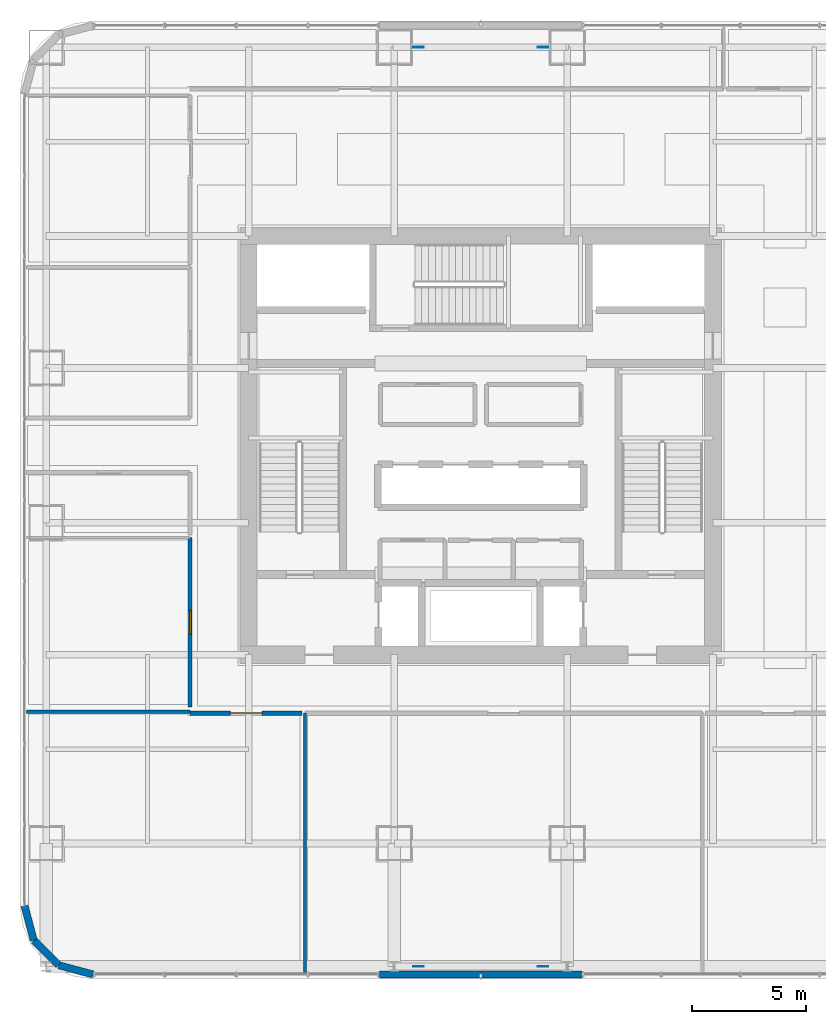
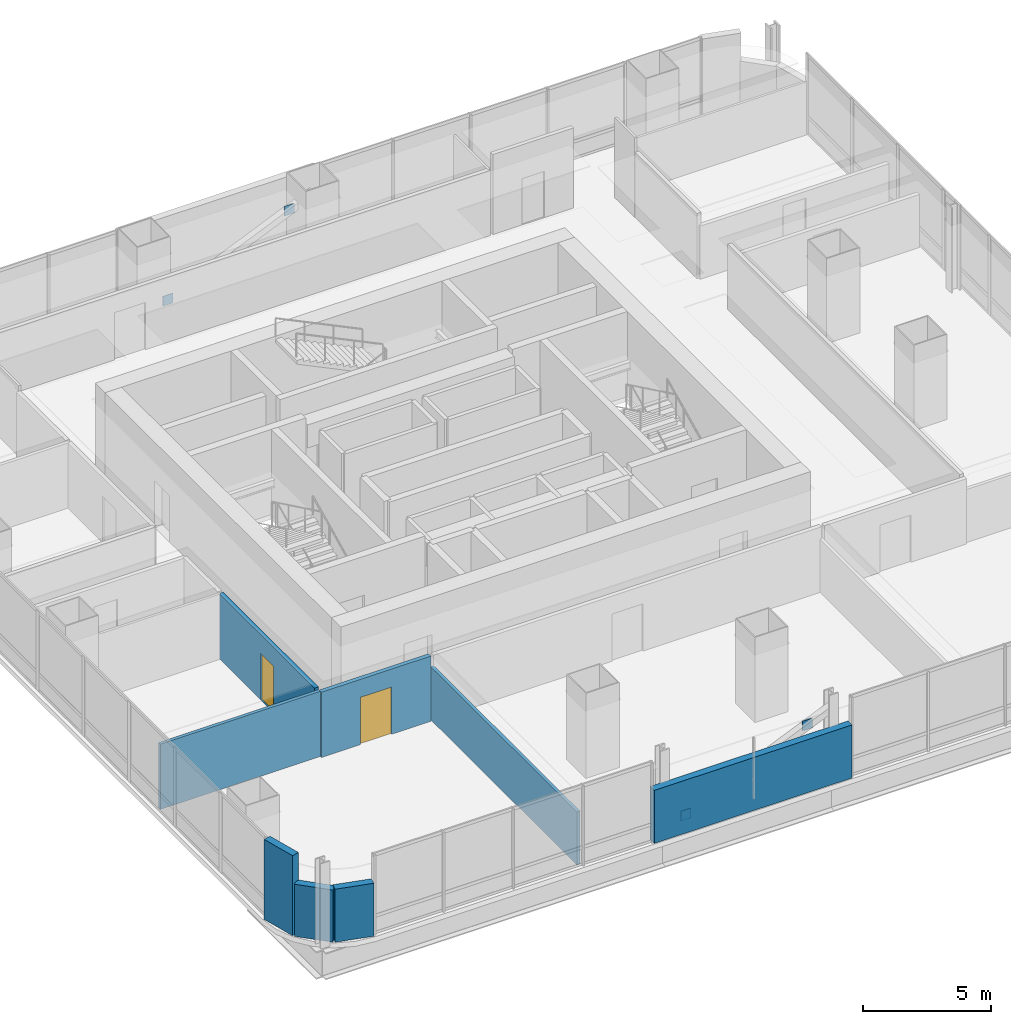
# One storey, part 27 of 40: 8 walls, 4 plates, 2 doors, 2 openings.
"""IFC4 building model written with IfcOpenShell, lengths in metres."""

from ifc_helpers import new_model, si_unit, direction, frame, frame_2d, origin, origin_2d, place, context, subcontext, project, spatial, rectangle, extrude, material, layer, layer_set, type_object, element, fill, save


model = new_model("IFC4")

# Units and contexts
model_context = context("Model", 3, precision=1e-05, world=origin(), true_north=direction((0.0, 1.0)))
body_context = subcontext(model_context, "Body", "Model", "MODEL_VIEW")
ifc_project = project(units=[si_unit("LENGTHUNIT", "METRE"), si_unit("AREAUNIT", "SQUARE_METRE"), si_unit("VOLUMEUNIT", "CUBIC_METRE"), si_unit("PLANEANGLEUNIT", "RADIAN"), si_unit("MASSUNIT", "GRAM", prefix="KILO")], contexts=[model_context])

# Site, building, storey
site_placement = place(None, origin())
site = spatial("IfcSite", under=ifc_project, at=site_placement, CompositionType="ELEMENT")
building_placement = place(site_placement, origin())
building = spatial("IfcBuilding", under=site, at=building_placement, Name="Punatoya Terracotta Tower", CompositionType="ELEMENT")
storey_placement = place(building_placement, frame((0.0, 0.0, 76.800048828125)))
storey = spatial("IfcBuildingStorey", under=building, at=storey_placement, Name="L17", CompositionType="ELEMENT", Elevation=76.800048828125)

# Plates
ifc_material_1 = material(Name="Steel S460", Category="steel")
ifc_layer_1 = layer(ifc_material_1, 0.031982421875)
ifc_layer_set_1 = layer_set([ifc_layer_1], Name="Steel S460")
plate_type = type_object("IfcPlateType", Name="PLT-END-32", PredefinedType="USERDEFINED", material=ifc_layer_set_1)
for number, where, z_axis, x_axis, name in (
    (1, (-2.736083984375, -22.89990234375, 0.25048828125), (0.0, 0.0, 1.0), (1.0, 0.0, 0.0), "L17 Wind Brace S2 End Plate 1"),
    (2, (2.736083984375, -22.89990234375, 2.619384765625), (0.0, 0.0, 1.0), (1.0, 0.0, 0.0), "L17 Wind Brace S2 End Plate 2"),
    (3, (-2.736083984375, 17.5, 0.25048828125), (0.0, 0.0, 1.0), (1.0, 0.0, 0.0), "L17 Wind Brace N2 End Plate 1"),
    (4, (2.736083984375, 17.5, 2.619384765625), (0.0, 0.0, 1.0), (1.0, 0.0, 0.0), "L17 Wind Brace N2 End Plate 2"),
):
    element("IfcPlate", number, at=place(storey_placement, frame(where, z_axis=z_axis, x_axis=x_axis)), inside=storey, type_object=plate_type, Name=name, ObjectType="FLANGE_PLATE", PredefinedType="USERDEFINED", context=body_context, shape_type="SweptSolid", body=[
        extrude(rectangle(XDim=0.4599609375, YDim=0.031982421875, at=origin_2d()), origin(), (0.0, 0.0, 1.0), 0.4599609375),
    ])

# Wall, opening, door
ifc_material_2 = material(Name="Gypsum Fireboard + Steel Stud", Category="steel")
ifc_layer_2 = layer(ifc_material_2, 0.179931640625)
ifc_layer_set_2 = layer_set([ifc_layer_2], Name="Gypsum Fireboard + Steel Stud")
wall_type_1 = type_object("IfcWallType", Name="WL-CORR-180", PredefinedType="PARTITIONING", material=ifc_layer_set_2)
wall_1_placement = place(storey_placement, frame((-12.77001953125, -11.77001953125, 0.0), z_axis=(0.0, 0.0, 1.0), x_axis=(1.0, 0.0, 0.0)))
wall_1 = element("IfcWall", 5, at=wall_1_placement, inside=storey, type_object=wall_type_1, Name="L17 Open-Plan Client Strategy Boardroom Partition 20", PredefinedType="PARTITIONING", context=body_context, shape_type="SweptSolid", body=[
    extrude(rectangle(XDim=4.924072265625, YDim=0.179931640625, at=frame_2d((2.4619140625, 0.0))), origin(), (0.0, 0.0, 1.0), 3.10400390625),
])
opening_1_placement = place(wall_1_placement, frame((1.761962890625, 0.0, 0.0)))
opening_1 = element("IfcOpeningElement", 6, at=opening_1_placement, cuts=wall_1, Name="Opening BD-01", PredefinedType="OPENING", context=body_context, shape_type="SweptSolid", body=[
    extrude(rectangle(XDim=1.39990234375, YDim=2.25, at=frame_2d((0.699951171875, 1.125))), frame((0.0, 0.099853515625, 0.0), z_axis=(0.0, -1.0, 0.0), x_axis=(1.0, 0.0, 0.0)), (0.0, 0.0, 1.0), 0.199951171875),
])
ifc_material_3 = material(Name="Bengal Teak Acoustic Leaf")
door_type_1 = type_object("IfcDoorType", Name="DR-BRD-1400", OperationType="NOTDEFINED", PredefinedType="DOOR", material=ifc_material_3)
door_1_placement = place(opening_1_placement, origin())
door_1 = element("IfcDoor", 7, at=door_1_placement, inside=storey, type_object=door_type_1, Name="L17 Open-Plan Client Strategy Boardroom Door", OperationType="SINGLE_SWING_LEFT", OverallHeight=2.25, OverallWidth=1.39990234375, PredefinedType="DOOR", context=body_context, shape_type="SweptSolid", body=[
    extrude(rectangle(XDim=1.39990234375, YDim=2.25, at=frame_2d((0.699951171875, 1.125))), frame((0.0, 0.02490234375, 0.0), z_axis=(0.0, -1.0, 0.0), x_axis=(1.0, 0.0, 0.0)), (0.0, 0.0, 1.0), 0.050048828125),
])
fill(opening_1, door_1)

wall_2_placement = place(storey_placement, frame((-12.77001953125, -4.050048828125, 0.0), z_axis=(0.0, 0.0, 1.0), x_axis=(0.0, -1.0, 0.0)))
wall_2 = element("IfcWall", 8, at=wall_2_placement, inside=storey, type_object=wall_type_1, Name="L17 Executive Briefing Room Partition 24", PredefinedType="PARTITIONING", context=body_context, shape_type="SweptSolid", body=[
    extrude(rectangle(XDim=7.43994140625, YDim=0.179931640625, at=frame_2d((3.719970703125, 0.0))), origin(), (0.0, 0.0, 1.0), 3.10400390625),
])
opening_2_placement = place(wall_2_placement, frame((3.2099609375, 0.0, 0.0)))
opening_2 = element("IfcOpeningElement", 9, at=opening_2_placement, cuts=wall_2, Name="Opening MD-01", PredefinedType="OPENING", context=body_context, shape_type="SweptSolid", body=[
    extrude(rectangle(XDim=1.02001953125, YDim=2.199951171875, at=frame_2d((0.510009765625, 1.10009765625))), frame((0.0, 0.099853515625, 0.0), z_axis=(0.0, -1.0, 0.0), x_axis=(1.0, 0.0, 0.0)), (0.0, 0.0, 1.0), 0.199951171875),
])
ifc_material_4 = material(Name="Aluminium + Acoustic Glass Leaf", Category="aluminium")
door_type_2 = type_object("IfcDoorType", Name="DR-MTG-1020", OperationType="NOTDEFINED", PredefinedType="DOOR", material=ifc_material_4)
door_2_placement = place(opening_2_placement, origin())
door_2 = element("IfcDoor", 10, at=door_2_placement, inside=storey, type_object=door_type_2, Name="L17 Executive Briefing Room Door", OperationType="SINGLE_SWING_LEFT", OverallHeight=2.199951171875, OverallWidth=1.02001953125, PredefinedType="DOOR", context=body_context, shape_type="SweptSolid", body=[
    extrude(rectangle(XDim=1.02001953125, YDim=2.199951171875, at=frame_2d((0.510009765625, 1.10009765625))), frame((0.0, 0.02490234375, 0.0), z_axis=(0.0, -1.0, 0.0), x_axis=(1.0, 0.0, 0.0)), (0.0, 0.0, 1.0), 0.050048828125),
])
fill(opening_2, door_2)

# Walls
ifc_material_5 = material(Name="Precast concrete C40/50", Category="concrete")
ifc_layer_3 = layer(ifc_material_5, 0.320068359375)
ifc_layer_set_3 = layer_set([ifc_layer_3], Name="Precast concrete C40/50")
wall_type_2 = type_object("IfcWallType", Name="WL-EXT-320", PredefinedType="SOLIDWALL", material=ifc_layer_set_3)
wall_3_placement = place(storey_placement, frame((-4.449951171875, -23.25, 0.0), z_axis=(0.0, 0.0, 1.0), x_axis=(1.0, 0.0, 0.0)))
element("IfcWall", 11, at=wall_3_placement, inside=storey, type_object=wall_type_2, Name="L17 Terracotta Braced Facade Wall S1", PredefinedType="SOLIDWALL", context=body_context, shape_type="SweptSolid", body=[
    extrude(rectangle(XDim=8.89990234375, YDim=0.320068359375, at=frame_2d((4.449951171875, 0.0))), origin(), (0.0, 0.0, 1.0), 2.52392578125),
])
wall_4_placement = place(storey_placement, frame((-20.050048828125, -20.23681640625, 0.0), z_axis=(0.0, 0.0, 1.0), x_axis=(0.257847112249, -0.966185730957, 0.0)))
element("IfcWall", 12, at=wall_4_placement, inside=storey, type_object=wall_type_2, Name="L17 Rounded Terracotta Corner Pier 14", PredefinedType="SOLIDWALL", context=body_context, shape_type="SweptSolid", body=[
    extrude(rectangle(XDim=1.565185546875, YDim=0.320068359375, at=frame_2d((0.78271484375, 0.0))), origin(), (0.0, 0.0, 1.0), 3.81005859375),
])
wall_5_placement = place(storey_placement, frame((-19.646484375, -21.7490234375, 0.0), z_axis=(0.0, 0.0, 1.0), x_axis=(0.707028130747, -0.707185422879, 0.0)))
element("IfcWall", 13, at=wall_5_placement, inside=storey, type_object=wall_type_2, Name="L17 Rounded Terracotta Corner Pier 15", PredefinedType="SOLIDWALL", context=body_context, shape_type="SweptSolid", body=[
    extrude(rectangle(XDim=1.55224609375, YDim=0.320068359375, at=frame_2d((0.776123046875, 0.0))), origin(), (0.0, 0.0, 1.0), 2.48388671875),
])
wall_6_placement = place(storey_placement, frame((-18.549072265625, -22.8466796875, 0.0), z_axis=(0.0, 0.0, 1.0), x_axis=(0.966224582397, -0.257701486942, 0.0)))
element("IfcWall", 14, at=wall_6_placement, inside=storey, type_object=wall_type_2, Name="L17 Rounded Terracotta Corner Pier 16", PredefinedType="SOLIDWALL", context=body_context, shape_type="SweptSolid", body=[
    extrude(rectangle(XDim=1.565185546875, YDim=0.320068359375, at=frame_2d((0.78271484375, 0.0))), origin(), (0.0, 0.0, 1.0), 2.52392578125),
])
ifc_material_6 = material(Name="Acoustic Gypsum + Steel Stud", Category="steel")
ifc_layer_4 = layer(ifc_material_6, 0.139892578125)
ifc_layer_set_4 = layer_set([ifc_layer_4], Name="Acoustic Gypsum + Steel Stud")
wall_type_3 = type_object("IfcWallType", Name="WL-OFF-140", PredefinedType="PARTITIONING", material=ifc_layer_set_4)
wall_7_placement = place(storey_placement, frame((-7.72607421875, -23.169921875, 0.0), z_axis=(0.0, 0.0, 1.0), x_axis=(0.0, 1.0, 0.0)))
element("IfcWall", 15, at=wall_7_placement, inside=storey, type_object=wall_type_3, Name="L17 Plenary Seminar Room Partition 17", PredefinedType="PARTITIONING", context=body_context, shape_type="SweptSolid", body=[
    extrude(rectangle(XDim=11.39990234375, YDim=0.139892578125, at=frame_2d((5.699951171875, 0.0))), origin(), (0.0, 0.0, 1.0), 2.52392578125),
])
wall_8_placement = place(storey_placement, frame((-19.969970703125, -11.7099609375, 0.0), z_axis=(0.0, 0.0, 1.0), x_axis=(1.0, 0.0, 0.0)))
element("IfcWall", 16, at=wall_8_placement, inside=storey, type_object=wall_type_3, Name="L17 Open-Plan Client Strategy Boardroom Partition 19", PredefinedType="PARTITIONING", context=body_context, shape_type="SweptSolid", body=[
    extrude(rectangle(XDim=7.199951171875, YDim=0.139892578125, at=frame_2d((3.60009765625, 0.0))), origin(), (0.0, 0.0, 1.0), 3.10400390625),
])

save(model, "model.ifc")
